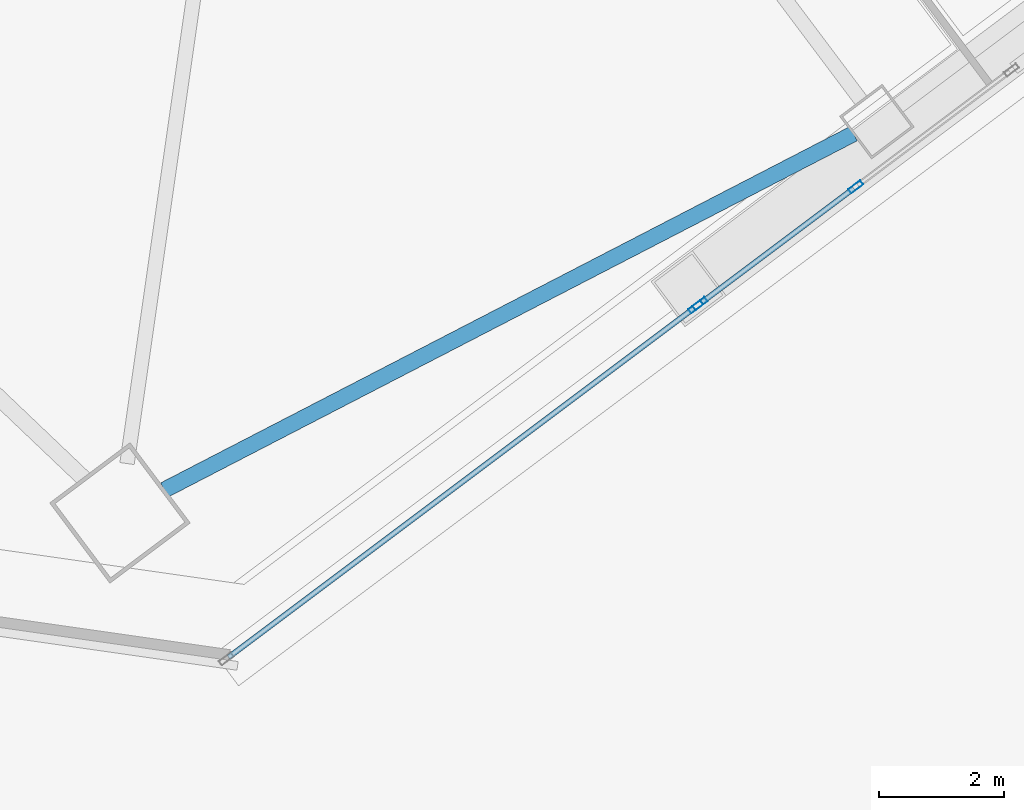
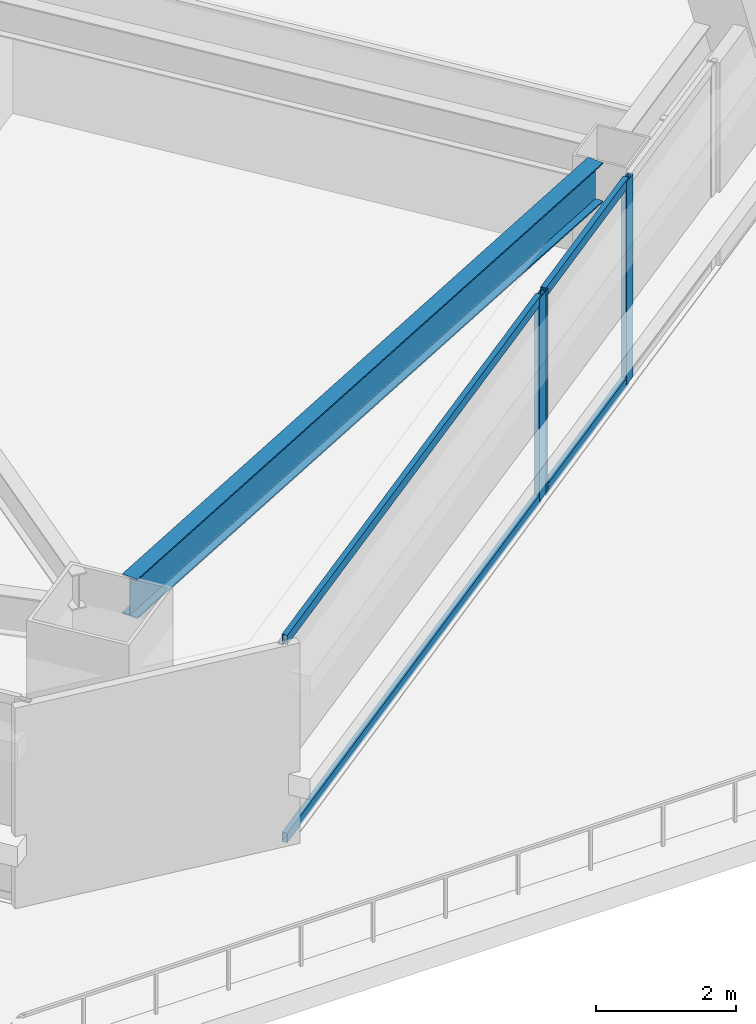
# One storey, part 35 of 83: 7 members, 1 beam, 2 elements without a shape of their own.
"""IFC4 building model written with IfcOpenShell, lengths in metres."""

from ifc_helpers import new_model, si_unit, direction, frame, origin, origin_2d, place, context, subcontext, project, spatial, hollow_rectangle, i_section, extrude, material, material_profile, profile_set, type_object, element, aggregate, save


model = new_model("IFC4")

# Units and contexts
model_context = context("Model", 3, precision=1e-05, world=origin(), true_north=direction((0.0, 1.0)))
body_context = subcontext(model_context, "Body", "Model", "MODEL_VIEW")
ifc_project = project(units=[si_unit("LENGTHUNIT", "METRE"), si_unit("AREAUNIT", "SQUARE_METRE"), si_unit("VOLUMEUNIT", "CUBIC_METRE"), si_unit("PLANEANGLEUNIT", "RADIAN"), si_unit("MASSUNIT", "GRAM", prefix="KILO")], contexts=[model_context])

# Site, building, storey
site_placement = place(None, origin())
site = spatial("IfcSite", under=ifc_project, at=site_placement, CompositionType="ELEMENT")
building_placement = place(site_placement, origin())
building = spatial("IfcBuilding", under=site, at=building_placement, Name="Tashvorn Skyway Center", CompositionType="ELEMENT")
storey_placement = place(building_placement, frame((0.0, 0.0, 24.60009765625)))
storey = spatial("IfcBuildingStorey", under=building, at=storey_placement, Name="L05", CompositionType="ELEMENT", Elevation=24.60009765625)

# Beam
ifc_material_1 = material(Name="Steel ASTM A992 Grade 50", Category="steel")
ifc_material_profile_1 = material_profile(ifc_material_1, i_section(OverallWidth=0.256103515625, OverallDepth=0.693115234375, WebThickness=0.014404296875, FlangeThickness=0.023681640625, at=origin_2d()), Name="W27X114")
ifc_profile_set_1 = profile_set([ifc_material_profile_1], Name="Steel ASTM A992 Grade 50")
beam_type = type_object("IfcBeamType", Name="BM-SPANDREL-W27X114", PredefinedType="SPANDREL", material=ifc_profile_set_1)
beam_placement = place(storey_placement, frame((110.9462890625, 6.045166015625, 3.00341796875), z_axis=(0.888315637339, 0.459233413919, 0.0), x_axis=(-0.459233413919, 0.888315637339, 0.0)))
element("IfcBeam", 1, at=beam_placement, inside=storey, type_object=beam_type, Name="Tower 2 L05 Spandrel Beam 01", PredefinedType="SPANDREL", context=body_context, shape_type="SweptSolid", body=[
    extrude(i_section(OverallWidth=0.256103515625, OverallDepth=0.693115234375, WebThickness=0.014404296875, FlangeThickness=0.023681640625, at=origin_2d()), origin(), (0.0, 0.0, 1.0), 12.37255859375),
])

# Curtain wall, members
ifc_material_2 = material(Name="Thermally broken bronze-anodized aluminium 6063-T6", Category="aluminium")
curtain_wall_type = type_object("IfcCurtainWallType", Name="CW-CW-Z1", PredefinedType="NOTDEFINED", material=ifc_material_2)
curtain_wall_1_placement = place(storey_placement, origin())
curtain_wall_1 = element("IfcCurtainWall", 2, at=curtain_wall_1_placement, inside=storey, type_object=curtain_wall_type, Name="Tower 2 L05 South Unitised Curtain Wall Glazing Group 3", PredefinedType="NOTDEFINED")
ifc_material_profile_2 = material_profile(ifc_material_2, hollow_rectangle(XDim=0.0849609375, YDim=0.239990234375, WallThickness=0.0048828125, at=origin_2d()), Name="ALU-MULL-85x240")
ifc_profile_set_2 = profile_set([ifc_material_profile_2], Name="Thermally broken bronze-anodized aluminium 6063-T6")
member_type_1 = type_object("IfcMemberType", Name="CWM-CW-Z1", PredefinedType="MULLION", material=ifc_profile_set_2)
member_1_placement = place(storey_placement, frame((121.973388671875, 10.8798828125, 0.0), z_axis=(0.0, 0.0, 1.0), x_axis=(0.599997457641, -0.800001906763, 0.0)))
member_1 = element("IfcMember", 3, at=member_1_placement, type_object=member_type_1, Name="CW-Z1 mullion 2", PredefinedType="MULLION", context=body_context, shape_type="SweptSolid", body=[
    extrude(hollow_rectangle(XDim=0.0849609375, YDim=0.239990234375, WallThickness=0.0048828125, at=origin_2d()), origin(), (0.0, 0.0, 1.0), 3.5498046875),
])
member_2_placement = place(storey_placement, frame((119.489990234375, 9.017578125, 0.0), z_axis=(0.0, 0.0, 1.0), x_axis=(0.599997457641, -0.800001906763, 0.0)))
member_2 = element("IfcMember", 4, at=member_2_placement, type_object=member_type_1, Name="CW-Z1 mullion 3", PredefinedType="MULLION", context=body_context, shape_type="SweptSolid", body=[
    extrude(hollow_rectangle(XDim=0.0849609375, YDim=0.239990234375, WallThickness=0.0048828125, at=origin_2d()), origin(), (0.0, 0.0, 1.0), 3.5498046875),
])

# Curtain wall, member
curtain_wall_2_placement = place(storey_placement, origin())
curtain_wall_2 = element("IfcCurtainWall", 5, at=curtain_wall_2_placement, inside=storey, type_object=curtain_wall_type, Name="Tower 2 L05 South Unitised Curtain Wall Glazing Group 4", PredefinedType="NOTDEFINED")
member_3_placement = place(storey_placement, frame((119.422119140625, 8.966552734375, 0.0), z_axis=(0.0, 0.0, 1.0), x_axis=(0.600000000002, -0.799999999998, 0.0)))
member_3 = element("IfcMember", 6, at=member_3_placement, type_object=member_type_1, Name="CW-Z1 mullion 1", PredefinedType="MULLION", context=body_context, shape_type="SweptSolid", body=[
    extrude(hollow_rectangle(XDim=0.0849609375, YDim=0.239990234375, WallThickness=0.0048828125, at=origin_2d()), origin(), (0.0, 0.0, 1.0), 3.5498046875),
])

# Member
ifc_material_profile_3 = material_profile(ifc_material_2, hollow_rectangle(XDim=0.0849609375, YDim=0.1650390625, WallThickness=0.0048828125, at=origin_2d()), Name="ALU-TRAN-85x165")
ifc_profile_set_3 = profile_set([ifc_material_profile_3], Name="Thermally broken bronze-anodized aluminium 6063-T6")
member_type_2 = type_object("IfcMemberType", Name="CWT-CW-Z1", PredefinedType="USERDEFINED", material=ifc_profile_set_3)
member_4_placement = place(storey_placement, frame((121.939453125, 10.8544921875, 0.04248046875), z_axis=(-0.800019405753, -0.599974124791, 0.0), x_axis=(0.599974124791, -0.800019405753, 0.0)))
member_4 = element("IfcMember", 7, at=member_4_placement, type_object=member_type_2, Name="CW-Z1 transom 2.1", ObjectType="TRANSOM", PredefinedType="USERDEFINED", context=body_context, shape_type="SweptSolid", body=[
    extrude(hollow_rectangle(XDim=0.0849609375, YDim=0.1650390625, WallThickness=0.0048828125, at=origin_2d()), origin(), (0.0, 0.0, 1.0), 3.019287109375),
])

member_5_placement = place(storey_placement, frame((121.939453125, 10.8544921875, 3.50732421875), z_axis=(-0.800019405753, -0.599974124791, 0.0), x_axis=(0.599974124791, -0.800019405753, 0.0)))
member_5 = element("IfcMember", 8, at=member_5_placement, type_object=member_type_2, Name="CW-Z1 transom 2.2", ObjectType="TRANSOM", PredefinedType="USERDEFINED", context=body_context, shape_type="SweptSolid", body=[
    extrude(hollow_rectangle(XDim=0.0849609375, YDim=0.1650390625, WallThickness=0.0048828125, at=origin_2d()), origin(), (0.0, 0.0, 1.0), 3.019287109375),
])

aggregate(curtain_wall_1, [member_1, member_2, member_4, member_5])

member_6_placement = place(storey_placement, frame((119.387939453125, 8.94091796875, 0.04248046875), z_axis=(-0.8, -0.6, 0.0), x_axis=(0.6, -0.8, 0.0)))
member_6 = element("IfcMember", 9, at=member_6_placement, type_object=member_type_2, Name="CW-Z1 transom 1.1", ObjectType="TRANSOM", PredefinedType="USERDEFINED", context=body_context, shape_type="SweptSolid", body=[
    extrude(hollow_rectangle(XDim=0.0849609375, YDim=0.1650390625, WallThickness=0.0048828125, at=origin_2d()), origin(), (0.0, 0.0, 1.0), 9.27001953125),
])

member_7_placement = place(storey_placement, frame((119.387939453125, 8.94091796875, 3.50732421875), z_axis=(-0.8, -0.6, 0.0), x_axis=(0.6, -0.8, 0.0)))
member_7 = element("IfcMember", 10, at=member_7_placement, type_object=member_type_2, Name="CW-Z1 transom 1.2", ObjectType="TRANSOM", PredefinedType="USERDEFINED", context=body_context, shape_type="SweptSolid", body=[
    extrude(hollow_rectangle(XDim=0.0849609375, YDim=0.1650390625, WallThickness=0.0048828125, at=origin_2d()), origin(), (0.0, 0.0, 1.0), 9.27001953125),
])

aggregate(curtain_wall_2, [member_3, member_6, member_7])

save(model, "model.ifc")
